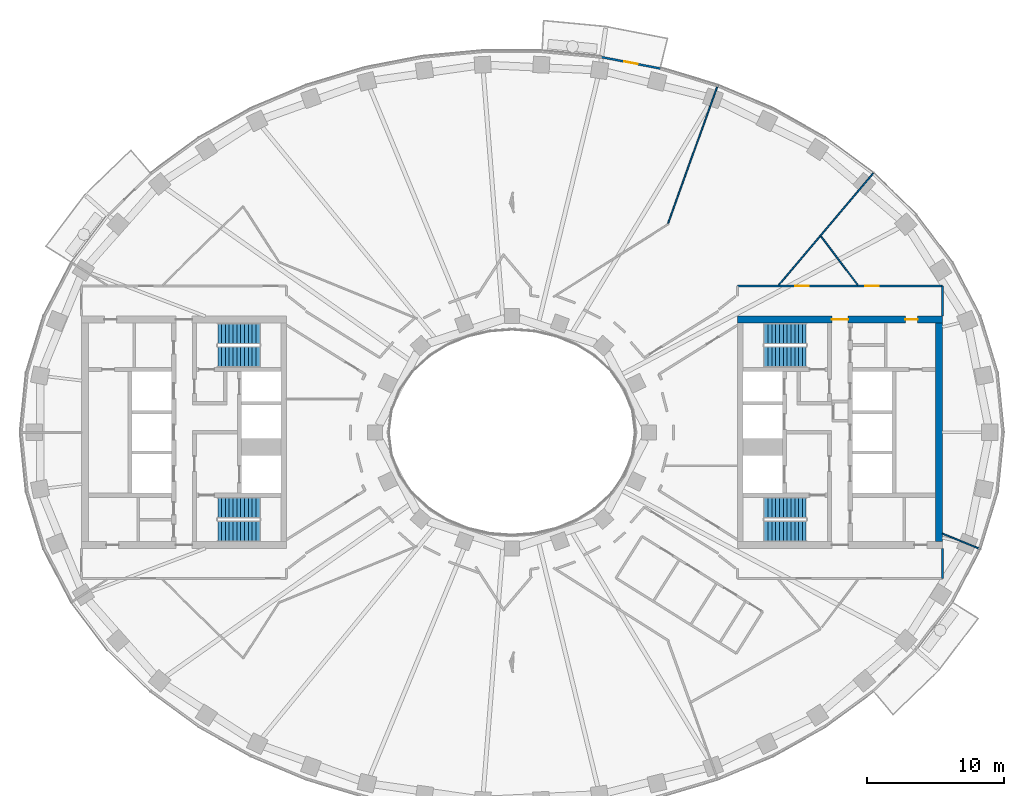
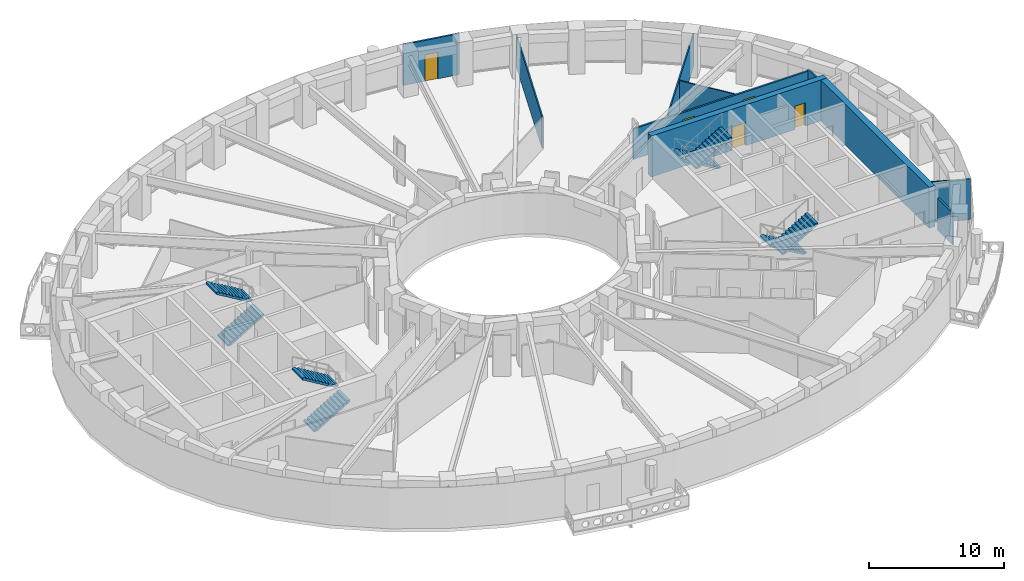
# One storey, part 7 of 16: 10 walls, 8 stair flights, 5 doors, 5 openings, 4 elements without a shape of their own.
"""IFC4 building model written with IfcOpenShell, lengths in metres."""

from ifc_helpers import new_model, si_unit, direction, frame, frame_2d, origin, place, context, subcontext, project, spatial, polyline, rectangle, outline, extrude, material, layer, layer_set, type_object, element, fill, aggregate, save


model = new_model("IFC4")

# Units and contexts
model_context = context("Model", 3, precision=1e-05, world=origin(), true_north=direction((0.0, 1.0)))
body_context = subcontext(model_context, "Body", "Model", "MODEL_VIEW")
ifc_project = project(units=[si_unit("LENGTHUNIT", "METRE"), si_unit("AREAUNIT", "SQUARE_METRE"), si_unit("VOLUMEUNIT", "CUBIC_METRE"), si_unit("PLANEANGLEUNIT", "RADIAN"), si_unit("MASSUNIT", "GRAM", prefix="KILO")], contexts=[model_context])

# Site, building, storey
site_placement = place(None, origin())
site = spatial("IfcSite", under=ifc_project, at=site_placement, CompositionType="ELEMENT")
building_placement = place(site_placement, origin())
building = spatial("IfcBuilding", under=site, at=building_placement, Name="Noorbagh Ring Tower", CompositionType="ELEMENT")
storey_placement = place(building_placement, frame((0.0, 0.0, 166.0)))
storey = spatial("IfcBuildingStorey", under=building, at=storey_placement, Name="L38", CompositionType="ELEMENT", Elevation=166.0)

# Wall, openings, doors
ifc_material_1 = material(Name="Concrete C60/75", Category="concrete")
ifc_layer_1 = layer(ifc_material_1, 0.5)
ifc_layer_set_1 = layer_set([ifc_layer_1], Name="Concrete C60/75")
wall_type_1 = type_object("IfcWallType", Name="CORE-WALL-500-C60-75-EI240", PredefinedType="SHEAR", material=ifc_layer_set_1)
wall_1_placement = place(storey_placement, frame((16.5, 8.25, 0.0), z_axis=(0.0, 0.0, 1.0), x_axis=(1.0, 0.0, 0.0)))
wall_1 = element("IfcWall", 1, at=wall_1_placement, inside=storey, type_object=wall_type_1, Name="Core wall E", PredefinedType="SHEAR", context=body_context, shape_type="SweptSolid", body=[
    extrude(rectangle(XDim=15.0, YDim=0.5, at=frame_2d((7.5, 0.0))), origin(), (0.0, 0.0, 1.0), 3.699951171875),
])
opening_1_placement = place(wall_1_placement, frame((6.89990234375, 0.0, 0.0)))
opening_1 = element("IfcOpeningElement", 2, at=opening_1_placement, cuts=wall_1, Name="Opening L38-CE11", PredefinedType="OPENING", context=body_context, shape_type="SweptSolid", body=[
    extrude(rectangle(XDim=1.199951171875, YDim=2.10009765625, at=frame_2d((0.60009765625, 1.050048828125))), frame((0.0, 0.260009765625, 0.0), z_axis=(0.0, -1.0, 0.0), x_axis=(1.0, 0.0, 0.0)), (0.0, 0.0, 1.0), 0.52001953125),
])
opening_2_placement = place(wall_1_placement, frame((12.27490234375, 0.0, 0.0)))
opening_2 = element("IfcOpeningElement", 3, at=opening_2_placement, cuts=wall_1, Name="Opening L38-CE15", PredefinedType="OPENING", context=body_context, shape_type="SweptSolid", body=[
    extrude(rectangle(XDim=0.89990234375, YDim=2.10009765625, at=frame_2d((0.449951171875, 1.050048828125))), frame((0.0, 0.260009765625, 0.0), z_axis=(0.0, -1.0, 0.0), x_axis=(1.0, 0.0, 0.0)), (0.0, 0.0, 1.0), 0.52001953125),
])
ifc_material_2 = material(Name="Steel door leaf", Category="steel")
door_type_1 = type_object("IfcDoorType", Name="CORE-DOOR-DROOM", OperationType="SINGLE_SWING_LEFT", PredefinedType="DOOR", material=ifc_material_2)
door_1_placement = place(opening_2_placement, origin())
door_1 = element("IfcDoor", 4, at=door_1_placement, inside=storey, type_object=door_type_1, Name="Core room door L38-CE15", OperationType="SINGLE_SWING_LEFT", OverallHeight=2.10009765625, OverallWidth=0.89990234375, PredefinedType="DOOR", context=body_context, shape_type="SweptSolid", body=[
    extrude(rectangle(XDim=0.89990234375, YDim=2.10009765625, at=frame_2d((0.449951171875, 1.050048828125))), frame((0.0, 0.02490234375, 0.0), z_axis=(0.0, -1.0, 0.0), x_axis=(1.0, 0.0, 0.0)), (0.0, 0.0, 1.0), 0.050048828125),
])
fill(opening_2, door_1)
ifc_material_3 = material(Name="Steel door leaf", Category="steel")
door_type_2 = type_object("IfcDoorType", Name="CORE-DOOR-PORT", OperationType="DOUBLE_DOOR_DOUBLE_SWING", PredefinedType="DOOR", material=ifc_material_3)
door_2_placement = place(opening_1_placement, origin())
door_2 = element("IfcDoor", 5, at=door_2_placement, inside=storey, type_object=door_type_2, Name="Core entrance door L38-CE11", OperationType="DOUBLE_DOOR_DOUBLE_SWING", OverallHeight=2.10009765625, OverallWidth=1.199951171875, PredefinedType="DOOR", context=body_context, shape_type="SweptSolid", body=[
    extrude(rectangle(XDim=1.199951171875, YDim=2.10009765625, at=frame_2d((0.60009765625, 1.050048828125))), frame((0.0, 0.02490234375, 0.0), z_axis=(0.0, -1.0, 0.0), x_axis=(1.0, 0.0, 0.0)), (0.0, 0.0, 1.0), 0.050048828125),
])
fill(opening_1, door_2)

# Wall
wall_2_placement = place(storey_placement, frame((31.25, -8.0, 0.0), z_axis=(0.0, 0.0, 1.0), x_axis=(0.0, 1.0, 0.0)))
element("IfcWall", 6, at=wall_2_placement, inside=storey, type_object=wall_type_1, Name="Core wall E", PredefinedType="SHEAR", context=body_context, shape_type="SweptSolid", body=[
    extrude(rectangle(XDim=16.0, YDim=0.5, at=frame_2d((8.0, 0.0))), origin(), (0.0, 0.0, 1.0), 3.699951171875),
])

# Wall, openings, doors
ifc_material_4 = material(Name="Gypsum board on steel studs", Category="steel")
ifc_layer_2 = layer(ifc_material_4, 0.14990234375)
ifc_layer_set_2 = layer_set([ifc_layer_2], Name="Gypsum board on steel studs")
wall_type_2 = type_object("IfcWallType", Name="CORRIDOR PARTITION 150 EI 30", PredefinedType="PARTITIONING", material=ifc_layer_set_2)
wall_3_placement = place(storey_placement, frame((16.5, 10.699951171875, 0.0), z_axis=(0.0, 0.0, 1.0), x_axis=(1.0, 0.0, 0.0)))
wall_3 = element("IfcWall", 7, at=wall_3_placement, inside=storey, type_object=wall_type_2, Name="L38/wall/P82", PredefinedType="PARTITIONING", context=body_context, shape_type="SweptSolid", body=[
    extrude(rectangle(XDim=15.0, YDim=0.14990234375, at=frame_2d((7.5, 0.0))), origin(), (0.0, 0.0, 1.0), 2.75),
])
opening_3_placement = place(wall_3_placement, frame((4.2109375, 0.0, 0.0)))
opening_3 = element("IfcOpeningElement", 8, at=opening_3_placement, cuts=wall_3, Name="Opening D1", PredefinedType="OPENING", context=body_context, shape_type="SweptSolid", body=[
    extrude(rectangle(XDim=1.0, YDim=2.10009765625, at=frame_2d((0.5, 1.050048828125))), frame((0.0, 0.0849609375, 0.0), z_axis=(0.0, -1.0, 0.0), x_axis=(1.0, 0.0, 0.0)), (0.0, 0.0, 1.0), 0.169921875),
])
opening_4_placement = place(wall_3_placement, frame((9.35009765625, 0.0, 0.0)))
opening_4 = element("IfcOpeningElement", 9, at=opening_4_placement, cuts=wall_3, Name="Opening D1", PredefinedType="OPENING", context=body_context, shape_type="SweptSolid", body=[
    extrude(rectangle(XDim=1.0, YDim=2.10009765625, at=frame_2d((0.5, 1.050048828125))), frame((0.0, 0.0849609375, 0.0), z_axis=(0.0, -1.0, 0.0), x_axis=(1.0, 0.0, 0.0)), (0.0, 0.0, 1.0), 0.169921875),
])
ifc_material_5 = material(Name="Timber, painted", Category="wood")
door_type_3 = type_object("IfcDoorType", Name="DOOR 1000 X 2100 FD30", OperationType="SINGLE_SWING_LEFT", PredefinedType="DOOR", material=ifc_material_5)
door_3_placement = place(opening_3_placement, origin())
door_3 = element("IfcDoor", 10, at=door_3_placement, inside=storey, type_object=door_type_3, Name="L38-D14", OperationType="SINGLE_SWING_RIGHT", OverallHeight=2.10009765625, OverallWidth=1.0, PredefinedType="DOOR", context=body_context, shape_type="SweptSolid", body=[
    extrude(rectangle(XDim=1.0, YDim=2.10009765625, at=frame_2d((0.5, 1.050048828125))), frame((0.0, 0.02490234375, 0.0), z_axis=(0.0, -1.0, 0.0), x_axis=(1.0, 0.0, 0.0)), (0.0, 0.0, 1.0), 0.050048828125),
])
fill(opening_3, door_3)
door_4_placement = place(opening_4_placement, origin())
door_4 = element("IfcDoor", 11, at=door_4_placement, inside=storey, type_object=door_type_3, Name="L38-D16", OperationType="SINGLE_SWING_RIGHT", OverallHeight=2.10009765625, OverallWidth=1.0, PredefinedType="DOOR", context=body_context, shape_type="SweptSolid", body=[
    extrude(rectangle(XDim=1.0, YDim=2.10009765625, at=frame_2d((0.5, 1.050048828125))), frame((0.0, 0.02490234375, 0.0), z_axis=(0.0, -1.0, 0.0), x_axis=(1.0, 0.0, 0.0)), (0.0, 0.0, 1.0), 0.050048828125),
])
fill(opening_4, door_4)

# Walls
for number, where, z_axis, x_axis, name in (
    (12, (31.5, -10.699951171875, 0.0), (0.0, 0.0, 1.0), (0.0, 1.0, 0.0), "L38/wall/P88"),
    (13, (31.5, 8.5, 0.0), (0.0, 0.0, 1.0), (0.0, 1.0, 0.0), "L38/wall/P90"),
):
    element("IfcWall", number, at=place(storey_placement, frame(where, z_axis=z_axis, x_axis=x_axis)), inside=storey, type_object=wall_type_2, Name=name, PredefinedType="PARTITIONING", context=body_context, shape_type="SweptSolid", body=[
        extrude(rectangle(XDim=2.199951171875, YDim=0.14990234375, at=frame_2d((1.10009765625, 0.0))), origin(), (0.0, 0.0, 1.0), 2.89990234375),
    ])

# Wall, opening, door
ifc_material_6 = material(Name="Insulated aluminium clad panel", Category="aluminium")
ifc_layer_3 = layer(ifc_material_6, 0.14990234375)
ifc_layer_set_3 = layer_set([ifc_layer_3], Name="Insulated aluminium clad panel")
wall_type_3 = type_object("IfcWallType", Name="ENV-WALL-DOOR", PredefinedType="STANDARD", material=ifc_layer_set_3)
wall_4_placement = place(storey_placement, frame((10.87060546875, 26.616943359375, 0.0), z_axis=(0.0, 0.0, 1.0), x_axis=(-0.981631174778, 0.190788460615, 0.0)))
wall_4 = element("IfcWall", 14, at=wall_4_placement, inside=storey, type_object=wall_type_3, Name="Balcony door wall chord 10", PredefinedType="STANDARD", context=body_context, shape_type="SweptSolid", body=[
    extrude(rectangle(XDim=4.42626953125, YDim=0.14990234375, at=frame_2d((2.213134765625, 0.0))), origin(), (0.0, 0.0, 1.0), 3.699951171875),
])
opening_5_placement = place(wall_4_placement, frame((1.713134765625, 0.0, 0.0)))
opening_5 = element("IfcOpeningElement", 15, at=opening_5_placement, cuts=wall_4, Name="Opening D-BL", PredefinedType="OPENING", context=body_context, shape_type="SweptSolid", body=[
    extrude(rectangle(XDim=1.0, YDim=2.39990234375, at=frame_2d((0.5, 1.199951171875))), frame((0.0, 0.0849609375, 0.0), z_axis=(0.0, -1.0, 0.0), x_axis=(1.0, 0.0, 0.0)), (0.0, 0.0, 1.0), 0.169921875),
])
ifc_material_7 = material(Name="Aluminium and glass", Category="aluminium")
door_type_4 = type_object("IfcDoorType", Name="ENV-DOOR-BALCONY", OperationType="SINGLE_SWING_LEFT", PredefinedType="DOOR", material=ifc_material_7)
door_5_placement = place(opening_5_placement, origin())
door_5 = element("IfcDoor", 16, at=door_5_placement, inside=storey, type_object=door_type_4, Name="Balcony door chord 10", OperationType="SINGLE_SWING_LEFT", OverallHeight=2.39990234375, OverallWidth=1.0, PredefinedType="DOOR", context=body_context, shape_type="SweptSolid", body=[
    extrude(rectangle(XDim=1.0, YDim=2.39990234375, at=frame_2d((0.5, 1.199951171875))), frame((0.0, 0.02490234375, 0.0), z_axis=(0.0, -1.0, 0.0), x_axis=(1.0, 0.0, 0.0)), (0.0, 0.0, 1.0), 0.050048828125),
])
fill(opening_5, door_5)

# Walls
ifc_material_8 = material(Name="Gypsum board on steel studs", Category="steel")
ifc_layer_4 = layer(ifc_material_8, 0.10009765625)
ifc_layer_set_4 = layer_set([ifc_layer_4], Name="Gypsum board on steel studs")
wall_type_4 = type_object("IfcWallType", Name="PARTITION 100 GYPSUM", PredefinedType="PARTITIONING", material=ifc_layer_set_4)
wall_5_placement = place(storey_placement, frame((11.4169921875, 15.281982421875, 0.0), z_axis=(0.0, 0.0, 1.0), x_axis=(0.338283704349, 0.941044172912, 0.0)))
element("IfcWall", 17, at=wall_5_placement, inside=storey, type_object=wall_type_4, Name="L38/wall/P72", PredefinedType="PARTITIONING", context=body_context, shape_type="SweptSolid", body=[
    extrude(rectangle(XDim=10.73388671875, YDim=0.10009765625, at=frame_2d((5.366943359375, 0.0))), origin(), (0.0, 0.0, 1.0), 2.85009765625),
])
wall_6_placement = place(storey_placement, frame((19.510986328125, 10.778076171875, 0.0), z_axis=(0.0, 0.0, 1.0), x_axis=(0.646400187952, 0.762998556365, 0.0)))
element("IfcWall", 18, at=wall_6_placement, inside=storey, type_object=wall_type_4, Name="L38/wall/P85", PredefinedType="PARTITIONING", context=body_context, shape_type="SweptSolid", body=[
    extrude(rectangle(XDim=10.703857421875, YDim=0.10009765625, at=frame_2d((5.35205078125, 0.0))), origin(), (0.0, 0.0, 1.0), 2.89990234375),
])
wall_7_placement = place(storey_placement, frame((22.60595703125, 14.35400390625, 0.0), z_axis=(0.0, 0.0, 1.0), x_axis=(0.602012984229, -0.798486297202, 0.0)))
element("IfcWall", 19, at=wall_7_placement, inside=storey, type_object=wall_type_4, Name="L38/wall/P87", PredefinedType="PARTITIONING", context=body_context, shape_type="SweptSolid", body=[
    extrude(rectangle(XDim=4.478271484375, YDim=0.10009765625, at=frame_2d((2.2392578125, 0.0))), origin(), (0.0, 0.0, 1.0), 2.75),
])
wall_8_placement = place(storey_placement, frame((31.5, -7.409912109375, 0.0), z_axis=(0.0, 0.0, 1.0), x_axis=(0.925344112436, -0.379128307542, 0.0)))
element("IfcWall", 20, at=wall_8_placement, inside=storey, type_object=wall_type_4, Name="L38/wall/P89", PredefinedType="PARTITIONING", context=body_context, shape_type="SweptSolid", body=[
    extrude(rectangle(XDim=2.954345703125, YDim=0.10009765625, at=frame_2d((1.47705078125, 0.0))), origin(), (0.0, 0.0, 1.0), 3.699951171875),
])

# Stair, stair flights
ifc_material_9 = material(Name="Concrete C40/50", Category="concrete")
stair_type = type_object("IfcStairType", Name="CORE-STAIR", PredefinedType="HALF_TURN_STAIR", material=ifc_material_9)
stair_1_placement = place(storey_placement, origin())
stair_1 = element("IfcStair", 21, at=stair_1_placement, inside=storey, type_object=stair_type, Name="L38 Exit stair ST1", PredefinedType="HALF_TURN_STAIR")
ifc_material_10 = material(Name="Concrete C40/50", Category="concrete")
stair_flight_type = type_object("IfcStairFlightType", Name="CORE-STAIR-FLIGHT", PredefinedType="STRAIGHT", material=ifc_material_10)
stair_flight_1_placement = place(storey_placement, frame((-21.530029296875, 5.52490234375, 0.0), z_axis=(0.0, 0.0, 1.0), x_axis=(1.0, 0.0, 0.0)))
stair_flight_1 = element("IfcStairFlight", 22, at=stair_flight_1_placement, type_object=stair_flight_type, Name="ST1 flight 1", NumberOfRisers=12, NumberOfTreads=11, PredefinedType="STRAIGHT", RiserHeight=0.166666667, TreadLength=0.28, context=body_context, shape_type="SweptSolid", body=[
    extrude(outline(polyline([(0.0, 0.0), (0.0, 0.166748046875), (0.280029296875, 0.166748046875), (0.280029296875, 0.333251953125), (0.56005859375, 0.333251953125), (0.56005859375, 0.5), (0.840087890625, 0.5), (0.840087890625, 0.666748046875), (1.1201171875, 0.666748046875), (1.1201171875, 0.833251953125), (1.39990234375, 0.833251953125), (1.39990234375, 1.0), (1.679931640625, 1.0), (1.679931640625, 1.166748046875), (1.9599609375, 1.166748046875), (1.9599609375, 1.333251953125), (2.239990234375, 1.333251953125), (2.239990234375, 1.5), (2.52001953125, 1.5), (2.52001953125, 1.666748046875), (2.800048828125, 1.666748046875), (2.800048828125, 1.833251953125), (3.080078125, 1.833251953125), (3.080078125, 2.0), (3.080078125, 1.658935546875), (0.29296875, 0.0), (0.0, 0.0)])), frame((0.0, 0.77490234375, 0.0), z_axis=(0.0, -1.0, 0.0), x_axis=(1.0, 0.0, 0.0)), (0.0, 0.0, 1.0), 1.550048828125),
])
stair_flight_2_placement = place(storey_placement, frame((-18.449951171875, 7.22509765625, 2.0), z_axis=(0.0, 0.0, 1.0), x_axis=(-1.0, 0.0, 0.0)))
stair_flight_2 = element("IfcStairFlight", 23, at=stair_flight_2_placement, type_object=stair_flight_type, Name="ST1 flight 2", NumberOfRisers=12, NumberOfTreads=11, PredefinedType="STRAIGHT", RiserHeight=0.166666667, TreadLength=0.28, context=body_context, shape_type="SweptSolid", body=[
    extrude(outline(polyline([(0.0, 0.0), (0.0, 0.166748046875), (0.280029296875, 0.166748046875), (0.280029296875, 0.333251953125), (0.56005859375, 0.333251953125), (0.56005859375, 0.5), (0.840087890625, 0.5), (0.840087890625, 0.666748046875), (1.1201171875, 0.666748046875), (1.1201171875, 0.833251953125), (1.39990234375, 0.833251953125), (1.39990234375, 1.0), (1.679931640625, 1.0), (1.679931640625, 1.166748046875), (1.9599609375, 1.166748046875), (1.9599609375, 1.333251953125), (2.239990234375, 1.333251953125), (2.239990234375, 1.5), (2.52001953125, 1.5), (2.52001953125, 1.666748046875), (2.800048828125, 1.666748046875), (2.800048828125, 1.833251953125), (3.080078125, 1.833251953125), (3.080078125, 2.0), (3.080078125, 1.658935546875), (0.29296875, 0.0), (0.0, 0.0)])), frame((0.0, 0.77490234375, 0.0), z_axis=(0.0, -1.0, 0.0), x_axis=(1.0, 0.0, 0.0)), (0.0, 0.0, 1.0), 1.550048828125),
])
aggregate(stair_1, [stair_flight_1, stair_flight_2])

stair_2_placement = place(storey_placement, origin())
stair_2 = element("IfcStair", 24, at=stair_2_placement, inside=storey, type_object=stair_type, Name="L38 Exit stair ST2", PredefinedType="HALF_TURN_STAIR")
stair_flight_3_placement = place(storey_placement, frame((-21.530029296875, -7.22509765625, 0.0), z_axis=(0.0, 0.0, 1.0), x_axis=(1.0, 0.0, 0.0)))
stair_flight_3 = element("IfcStairFlight", 25, at=stair_flight_3_placement, type_object=stair_flight_type, Name="ST2 flight 1", NumberOfRisers=12, NumberOfTreads=11, PredefinedType="STRAIGHT", RiserHeight=0.166666667, TreadLength=0.28, context=body_context, shape_type="SweptSolid", body=[
    extrude(outline(polyline([(0.0, 0.0), (0.0, 0.166748046875), (0.280029296875, 0.166748046875), (0.280029296875, 0.333251953125), (0.56005859375, 0.333251953125), (0.56005859375, 0.5), (0.840087890625, 0.5), (0.840087890625, 0.666748046875), (1.1201171875, 0.666748046875), (1.1201171875, 0.833251953125), (1.39990234375, 0.833251953125), (1.39990234375, 1.0), (1.679931640625, 1.0), (1.679931640625, 1.166748046875), (1.9599609375, 1.166748046875), (1.9599609375, 1.333251953125), (2.239990234375, 1.333251953125), (2.239990234375, 1.5), (2.52001953125, 1.5), (2.52001953125, 1.666748046875), (2.800048828125, 1.666748046875), (2.800048828125, 1.833251953125), (3.080078125, 1.833251953125), (3.080078125, 2.0), (3.080078125, 1.658935546875), (0.29296875, 0.0), (0.0, 0.0)])), frame((0.0, 0.77490234375, 0.0), z_axis=(0.0, -1.0, 0.0), x_axis=(1.0, 0.0, 0.0)), (0.0, 0.0, 1.0), 1.550048828125),
])
stair_flight_4_placement = place(storey_placement, frame((-18.449951171875, -5.52490234375, 2.0), z_axis=(0.0, 0.0, 1.0), x_axis=(-1.0, 0.0, 0.0)))
stair_flight_4 = element("IfcStairFlight", 26, at=stair_flight_4_placement, type_object=stair_flight_type, Name="ST2 flight 2", NumberOfRisers=12, NumberOfTreads=11, PredefinedType="STRAIGHT", RiserHeight=0.166666667, TreadLength=0.28, context=body_context, shape_type="SweptSolid", body=[
    extrude(outline(polyline([(0.0, 0.0), (0.0, 0.166748046875), (0.280029296875, 0.166748046875), (0.280029296875, 0.333251953125), (0.56005859375, 0.333251953125), (0.56005859375, 0.5), (0.840087890625, 0.5), (0.840087890625, 0.666748046875), (1.1201171875, 0.666748046875), (1.1201171875, 0.833251953125), (1.39990234375, 0.833251953125), (1.39990234375, 1.0), (1.679931640625, 1.0), (1.679931640625, 1.166748046875), (1.9599609375, 1.166748046875), (1.9599609375, 1.333251953125), (2.239990234375, 1.333251953125), (2.239990234375, 1.5), (2.52001953125, 1.5), (2.52001953125, 1.666748046875), (2.800048828125, 1.666748046875), (2.800048828125, 1.833251953125), (3.080078125, 1.833251953125), (3.080078125, 2.0), (3.080078125, 1.658935546875), (0.29296875, 0.0), (0.0, 0.0)])), frame((0.0, 0.77490234375, 0.0), z_axis=(0.0, -1.0, 0.0), x_axis=(1.0, 0.0, 0.0)), (0.0, 0.0, 1.0), 1.550048828125),
])
aggregate(stair_2, [stair_flight_3, stair_flight_4])

stair_3_placement = place(storey_placement, origin())
stair_3 = element("IfcStair", 27, at=stair_3_placement, inside=storey, type_object=stair_type, Name="L38 Exit stair ST3", PredefinedType="HALF_TURN_STAIR")
stair_flight_5_placement = place(storey_placement, frame((21.530029296875, 7.22509765625, 0.0), z_axis=(0.0, 0.0, 1.0), x_axis=(-1.0, 0.0, 0.0)))
stair_flight_5 = element("IfcStairFlight", 28, at=stair_flight_5_placement, type_object=stair_flight_type, Name="ST3 flight 1", NumberOfRisers=12, NumberOfTreads=11, PredefinedType="STRAIGHT", RiserHeight=0.166666667, TreadLength=0.28, context=body_context, shape_type="SweptSolid", body=[
    extrude(outline(polyline([(0.0, 0.0), (0.0, 0.166748046875), (0.280029296875, 0.166748046875), (0.280029296875, 0.333251953125), (0.56005859375, 0.333251953125), (0.56005859375, 0.5), (0.840087890625, 0.5), (0.840087890625, 0.666748046875), (1.1201171875, 0.666748046875), (1.1201171875, 0.833251953125), (1.39990234375, 0.833251953125), (1.39990234375, 1.0), (1.679931640625, 1.0), (1.679931640625, 1.166748046875), (1.9599609375, 1.166748046875), (1.9599609375, 1.333251953125), (2.239990234375, 1.333251953125), (2.239990234375, 1.5), (2.52001953125, 1.5), (2.52001953125, 1.666748046875), (2.800048828125, 1.666748046875), (2.800048828125, 1.833251953125), (3.080078125, 1.833251953125), (3.080078125, 2.0), (3.080078125, 1.658935546875), (0.29296875, 0.0), (0.0, 0.0)])), frame((0.0, 0.77490234375, 0.0), z_axis=(0.0, -1.0, 0.0), x_axis=(1.0, 0.0, 0.0)), (0.0, 0.0, 1.0), 1.550048828125),
])
stair_flight_6_placement = place(storey_placement, frame((18.449951171875, 5.52490234375, 2.0), z_axis=(0.0, 0.0, 1.0), x_axis=(1.0, 0.0, 0.0)))
stair_flight_6 = element("IfcStairFlight", 29, at=stair_flight_6_placement, type_object=stair_flight_type, Name="ST3 flight 2", NumberOfRisers=12, NumberOfTreads=11, PredefinedType="STRAIGHT", RiserHeight=0.166666667, TreadLength=0.28, context=body_context, shape_type="SweptSolid", body=[
    extrude(outline(polyline([(0.0, 0.0), (0.0, 0.166748046875), (0.280029296875, 0.166748046875), (0.280029296875, 0.333251953125), (0.56005859375, 0.333251953125), (0.56005859375, 0.5), (0.840087890625, 0.5), (0.840087890625, 0.666748046875), (1.1201171875, 0.666748046875), (1.1201171875, 0.833251953125), (1.39990234375, 0.833251953125), (1.39990234375, 1.0), (1.679931640625, 1.0), (1.679931640625, 1.166748046875), (1.9599609375, 1.166748046875), (1.9599609375, 1.333251953125), (2.239990234375, 1.333251953125), (2.239990234375, 1.5), (2.52001953125, 1.5), (2.52001953125, 1.666748046875), (2.800048828125, 1.666748046875), (2.800048828125, 1.833251953125), (3.080078125, 1.833251953125), (3.080078125, 2.0), (3.080078125, 1.658935546875), (0.29296875, 0.0), (0.0, 0.0)])), frame((0.0, 0.77490234375, 0.0), z_axis=(0.0, -1.0, 0.0), x_axis=(1.0, 0.0, 0.0)), (0.0, 0.0, 1.0), 1.550048828125),
])
aggregate(stair_3, [stair_flight_5, stair_flight_6])

stair_4_placement = place(storey_placement, origin())
stair_4 = element("IfcStair", 30, at=stair_4_placement, inside=storey, type_object=stair_type, Name="L38 Exit stair ST4", PredefinedType="HALF_TURN_STAIR")
stair_flight_7_placement = place(storey_placement, frame((21.530029296875, -5.52490234375, 0.0), z_axis=(0.0, 0.0, 1.0), x_axis=(-1.0, 0.0, 0.0)))
stair_flight_7 = element("IfcStairFlight", 31, at=stair_flight_7_placement, type_object=stair_flight_type, Name="ST4 flight 1", NumberOfRisers=12, NumberOfTreads=11, PredefinedType="STRAIGHT", RiserHeight=0.166666667, TreadLength=0.28, context=body_context, shape_type="SweptSolid", body=[
    extrude(outline(polyline([(0.0, 0.0), (0.0, 0.166748046875), (0.280029296875, 0.166748046875), (0.280029296875, 0.333251953125), (0.56005859375, 0.333251953125), (0.56005859375, 0.5), (0.840087890625, 0.5), (0.840087890625, 0.666748046875), (1.1201171875, 0.666748046875), (1.1201171875, 0.833251953125), (1.39990234375, 0.833251953125), (1.39990234375, 1.0), (1.679931640625, 1.0), (1.679931640625, 1.166748046875), (1.9599609375, 1.166748046875), (1.9599609375, 1.333251953125), (2.239990234375, 1.333251953125), (2.239990234375, 1.5), (2.52001953125, 1.5), (2.52001953125, 1.666748046875), (2.800048828125, 1.666748046875), (2.800048828125, 1.833251953125), (3.080078125, 1.833251953125), (3.080078125, 2.0), (3.080078125, 1.658935546875), (0.29296875, 0.0), (0.0, 0.0)])), frame((0.0, 0.77490234375, 0.0), z_axis=(0.0, -1.0, 0.0), x_axis=(1.0, 0.0, 0.0)), (0.0, 0.0, 1.0), 1.550048828125),
])
stair_flight_8_placement = place(storey_placement, frame((18.449951171875, -7.22509765625, 2.0), z_axis=(0.0, 0.0, 1.0), x_axis=(1.0, 0.0, 0.0)))
stair_flight_8 = element("IfcStairFlight", 32, at=stair_flight_8_placement, type_object=stair_flight_type, Name="ST4 flight 2", NumberOfRisers=12, NumberOfTreads=11, PredefinedType="STRAIGHT", RiserHeight=0.166666667, TreadLength=0.28, context=body_context, shape_type="SweptSolid", body=[
    extrude(outline(polyline([(0.0, 0.0), (0.0, 0.166748046875), (0.280029296875, 0.166748046875), (0.280029296875, 0.333251953125), (0.56005859375, 0.333251953125), (0.56005859375, 0.5), (0.840087890625, 0.5), (0.840087890625, 0.666748046875), (1.1201171875, 0.666748046875), (1.1201171875, 0.833251953125), (1.39990234375, 0.833251953125), (1.39990234375, 1.0), (1.679931640625, 1.0), (1.679931640625, 1.166748046875), (1.9599609375, 1.166748046875), (1.9599609375, 1.333251953125), (2.239990234375, 1.333251953125), (2.239990234375, 1.5), (2.52001953125, 1.5), (2.52001953125, 1.666748046875), (2.800048828125, 1.666748046875), (2.800048828125, 1.833251953125), (3.080078125, 1.833251953125), (3.080078125, 2.0), (3.080078125, 1.658935546875), (0.29296875, 0.0), (0.0, 0.0)])), frame((0.0, 0.77490234375, 0.0), z_axis=(0.0, -1.0, 0.0), x_axis=(1.0, 0.0, 0.0)), (0.0, 0.0, 1.0), 1.550048828125),
])
aggregate(stair_4, [stair_flight_7, stair_flight_8])

save(model, "model.ifc")
